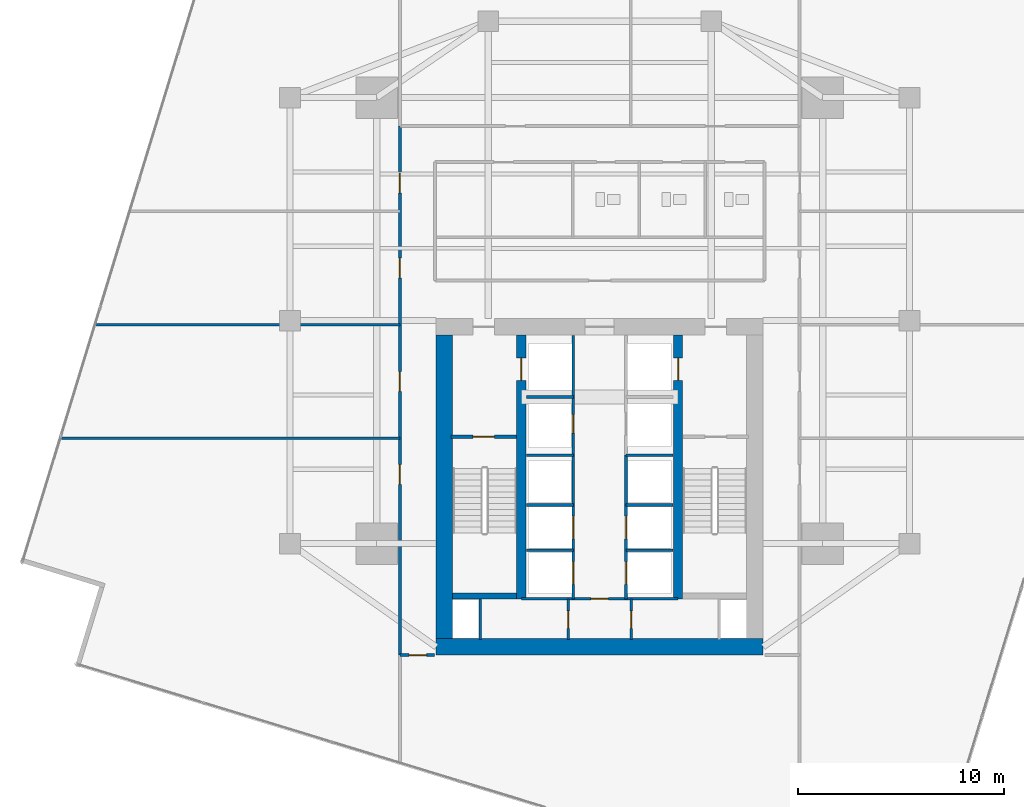
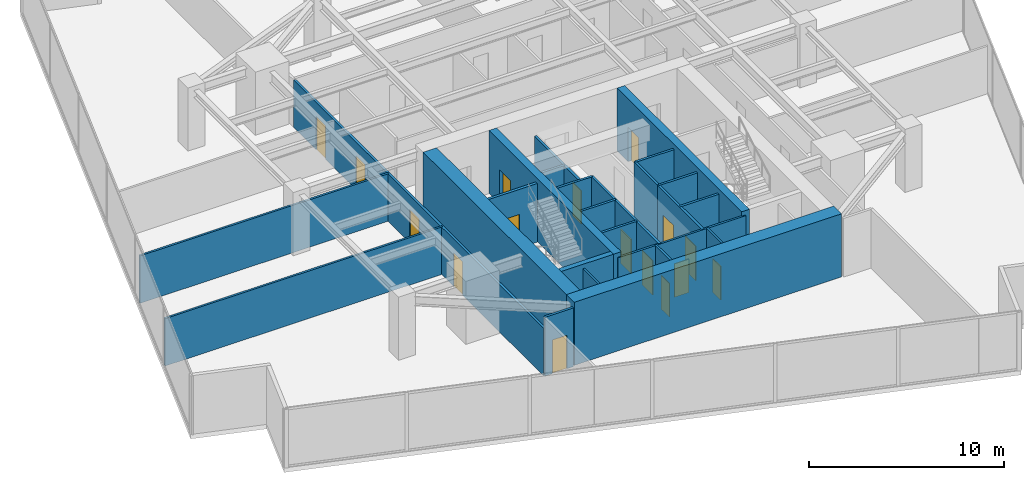
# One storey, part 22 of 26: 26 walls, 16 doors, 16 openings.
"""IFC4 building model written with IfcOpenShell, lengths in metres."""

import ifcopenshell
import ifcopenshell.guid

model = None  # the IFC model being written
_history = None  # IfcOwnerHistory: only IFC2X3 demands one
_inside = {}  # id of a spatial element -> (the spatial element, [elements in it])
_under = {}  # id of a project, library or spatial element -> (it, [spatial elements below it])
_declared = {}  # id of a project -> (the project, [libraries it declares])
_typed = {}  # id of a type object -> (the type object, [elements of that type])
_made_of = {}  # id of a material, layer set ... -> (it, [elements and type objects made of it])


def new_model(schema):
    """Start an empty IFC model of exactly this schema.

    Asked for "IFC4X3", IfcOpenShell would pick the latest addendum, in which some entities
    have other attributes; the version numbers below select the first issue.
    IFC2X3 requires an IfcOwnerHistory on every rooted entity: one is made here for all.
    """
    global model, _history
    if schema == "IFC4X3":
        model = ifcopenshell.file(schema_version=(4, 3, 0, 0))
    else:
        model = ifcopenshell.file(schema=schema)
    _inside.clear()
    _under.clear()
    _declared.clear()
    _typed.clear()
    _made_of.clear()
    _history = None
    if model.schema == "IFC2X3":
        org = make("IfcOrganization", Name="unknown")
        user = make(
            "IfcPersonAndOrganization",
            ThePerson=make("IfcPerson", FamilyName="unknown"),
            TheOrganization=org,
        )
        app = make(
            "IfcApplication",
            ApplicationDeveloper=org,
            Version="unknown",
            ApplicationFullName="unknown",
            ApplicationIdentifier="unknown",
        )
        _history = make(
            "IfcOwnerHistory",
            OwningUser=user,
            OwningApplication=app,
            ChangeAction="ADDED",
            CreationDate=0,
        )
    return model


def make(cls, **values):
    """One entity of the class cls with the attributes given. An attribute that is None is left unset."""
    return model.create_entity(
        cls, **{name: value for name, value in values.items() if value is not None}
    )


def rooted(cls, **values):
    """An entity with a GlobalId (a new one), such as an element, a storey or a relation."""
    return make(cls, GlobalId=ifcopenshell.guid.new(), OwnerHistory=_history, **values)


def si_unit(unit_type, name, prefix=None):
    """IfcSIUnit, for example si_unit("LENGTHUNIT", "METRE", prefix="MILLI")."""
    return make("IfcSIUnit", UnitType=unit_type, Prefix=prefix, Name=name)


def assignment(units):
    """IfcUnitAssignment: the units of a project."""
    return None if units is None else make("IfcUnitAssignment", Units=units)


def point(xyz):
    """IfcCartesianPoint."""
    return None if xyz is None else make("IfcCartesianPoint", Coordinates=xyz)


def direction(xyz):
    """IfcDirection."""
    return None if xyz is None else make("IfcDirection", DirectionRatios=xyz)


def frame(location, z_axis=None, x_axis=None):
    """IfcAxis2Placement3D, a coordinate frame: its origin and axes. An axis left out is left unset."""
    return make(
        "IfcAxis2Placement3D",
        Location=point(location),
        Axis=direction(z_axis),
        RefDirection=direction(x_axis),
    )


def frame_2d(location, x_axis=None):
    """IfcAxis2Placement2D, a coordinate frame in the plane: its origin and x axis."""
    return make(
        "IfcAxis2Placement2D", Location=point(location), RefDirection=direction(x_axis)
    )


def origin():
    """The frame at (0, 0, 0) with its axes left unset."""
    return frame((0.0, 0.0, 0.0))


def place(relative_to, where):
    """IfcLocalPlacement: puts the frame where relative to a parent placement (None: the world)."""
    return make(
        "IfcLocalPlacement", PlacementRelTo=relative_to, RelativePlacement=where
    )


def context(
    kind, dimensions, precision=None, world=None, true_north=None, identifier=None
):
    """IfcGeometricRepresentationContext, for example the 3D "Model" context."""
    return make(
        "IfcGeometricRepresentationContext",
        ContextIdentifier=identifier,
        ContextType=kind,
        CoordinateSpaceDimension=dimensions,
        Precision=precision,
        WorldCoordinateSystem=world,
        TrueNorth=true_north,
    )


def subcontext(parent, identifier, kind, view, scale=None):
    """IfcGeometricRepresentationSubContext, for example "Body" below "Model"."""
    return make(
        "IfcGeometricRepresentationSubContext",
        ContextIdentifier=identifier,
        ContextType=kind,
        ParentContext=parent,
        TargetScale=scale,
        TargetView=view,
    )


def project(units=None, contexts=None):
    """IfcProject with its units and contexts."""
    return rooted(
        "IfcProject",
        Name="project",
        RepresentationContexts=contexts,
        UnitsInContext=assignment(units),
    )


def spatial(cls, under=None, at=None, **own):
    """A site, building, storey or space (cls), placed at a placement, below another one or the project."""
    s = rooted(cls, ObjectPlacement=at, **own)
    if under is not None:
        _under.setdefault(under.id(), (under, []))[1].append(s)
    return s


def profile(cls, at=None, kind="AREA", **sizes):
    """A parametric profile (cls). Its sizes go by their IFC names, for example OverallWidth=200.0."""
    return make(cls, ProfileType=kind, Position=at, **sizes)


def rectangle(**sizes):
    """IfcRectangleProfileDef."""
    return profile("IfcRectangleProfileDef", **sizes)


def extrude(swept, where, along, depth):
    """IfcExtrudedAreaSolid: the profile swept, set in the frame where, extruded along a direction by depth."""
    return make(
        "IfcExtrudedAreaSolid",
        SweptArea=swept,
        Position=where,
        ExtrudedDirection=direction(along),
        Depth=depth,
    )


def shape(context_of_items, identifier, shape_type, items):
    """IfcShapeRepresentation: the items that make up one representation, for example the "Body"."""
    return make(
        "IfcShapeRepresentation",
        ContextOfItems=context_of_items,
        RepresentationIdentifier=identifier,
        RepresentationType=shape_type,
        Items=items,
    )


def material(Name=None, Category=None):
    """IfcMaterial."""
    return make("IfcMaterial", Name=Name, Category=Category)


def layer(
    of_material, thickness, ventilated=None, Name=None, Category=None, Priority=None
):
    """IfcMaterialLayer: one layer of a wall or slab, of a material (None: an air gap)."""
    return make(
        "IfcMaterialLayer",
        Material=of_material,
        LayerThickness=thickness,
        IsVentilated=ventilated,
        Name=Name,
        Category=Category,
        Priority=Priority,
    )


def layer_set(layers, Name=None):
    """IfcMaterialLayerSet."""
    return make("IfcMaterialLayerSet", MaterialLayers=layers, LayerSetName=Name)


def made_of(thing, what):
    """Note that an element or type object is made of a material, layer set ...; save() writes the relation."""
    if what is not None:
        _made_of.setdefault(what.id(), (what, []))[1].append(thing)
    return thing


def type_object(cls, material=None, **own):
    """A type object (cls), such as IfcWallType, which elements share."""
    return made_of(rooted(cls, **own), material)


def element(
    cls,
    number,
    at=None,
    inside=None,
    cuts=None,
    type_object=None,
    material=None,
    context=None,
    identifier="Body",
    shape_type=None,
    held_by="IfcProductDefinitionShape",
    body=None,
    shapes=None,
    **own,
):
    """One element of the class cls, such as IfcWall. Its Tag is "e" and its number.

    at: its placement. inside: the storey or other place that contains it. cuts: it is an
    opening in that element (IfcRelVoidsElement). A single representation is given by context,
    identifier, shape_type and body (its items); several are given by shapes. held_by: the class
    of the entity that holds the representations. save() writes the other relations.
    """
    e = rooted(cls, Tag="e%d" % number, ObjectPlacement=at, **own)
    if body is not None:
        shapes = [shape(context, identifier, shape_type, body)]
    if shapes is not None:
        e.Representation = make(held_by, Representations=shapes)
    if inside is not None:
        _inside.setdefault(inside.id(), (inside, []))[1].append(e)
    if cuts is not None:
        rooted(
            "IfcRelVoidsElement", RelatingBuildingElement=cuts, RelatedOpeningElement=e
        )
    if type_object is not None:
        _typed.setdefault(type_object.id(), (type_object, []))[1].append(e)
    return made_of(e, material)


def fill(opening, filler):
    """IfcRelFillsElement: the door or window that sits in an opening."""
    return rooted(
        "IfcRelFillsElement",
        RelatingOpeningElement=opening,
        RelatedBuildingElement=filler,
    )


def aggregate(whole, parts):
    """IfcRelAggregates: a whole, such as a stair, and the parts it consists of."""
    return rooted("IfcRelAggregates", RelatingObject=whole, RelatedObjects=parts)


def save(model, path):
    """Write the relations noted so far, then the file.

    IfcRelAggregates (storeys below a building ...), IfcRelContainedInSpatialStructure (elements
    in a storey), IfcRelDefinesByType, IfcRelAssociatesMaterial and IfcRelDeclares: one each for
    every whole, place, type object, material and project.
    """
    for whole, parts in _under.values():
        aggregate(whole, parts)
    for where, things in _inside.values():
        rooted(
            "IfcRelContainedInSpatialStructure",
            RelatedElements=things,
            RelatingStructure=where,
        )
    for kind, things in _typed.values():
        rooted("IfcRelDefinesByType", RelatedObjects=things, RelatingType=kind)
    for what, things in _made_of.values():
        rooted("IfcRelAssociatesMaterial", RelatedObjects=things, RelatingMaterial=what)
    for by, libraries in _declared.values():
        rooted("IfcRelDeclares", RelatingContext=by, RelatedDefinitions=libraries)
    model.write(path)


model = new_model("IFC4")

# Units and contexts
model_context = context("Model", 3, precision=1e-05, world=origin(), true_north=direction((0.0, 1.0)))
body_context = subcontext(model_context, "Body", "Model", "MODEL_VIEW")
ifc_project = project(units=[si_unit("LENGTHUNIT", "METRE"), si_unit("AREAUNIT", "SQUARE_METRE"), si_unit("VOLUMEUNIT", "CUBIC_METRE"), si_unit("PLANEANGLEUNIT", "RADIAN"), si_unit("MASSUNIT", "GRAM", prefix="KILO")], contexts=[model_context])

# Site, building, storey
site_placement = place(None, origin())
site = spatial("IfcSite", under=ifc_project, at=site_placement, CompositionType="ELEMENT")
building_placement = place(site_placement, origin())
building = spatial("IfcBuilding", under=site, at=building_placement, Name="Krantzveldt Concourse Tower", CompositionType="ELEMENT")
storey_placement = place(building_placement, frame((0.0, 0.0, 109.800048828125)))
storey = spatial("IfcBuildingStorey", under=building, at=storey_placement, Name="L26", CompositionType="ELEMENT", Elevation=109.800048828125)

# Wall, opening, door
ifc_material_1 = material(Name="Fire-rated gypsum plasterboard on steel stud", Category="steel")
ifc_layer_1 = layer(ifc_material_1, 0.1201171875, Name="Fire-rated gypsum plasterboard on steel stud", Category="steel")
ifc_layer_set_1 = layer_set([ifc_layer_1], Name="Fire-rated gypsum plasterboard on steel stud (WL-PART-120)")
wall_type_1 = type_object("IfcWallType", Name="WL-PART-120", PredefinedType="PARTITIONING", material=ifc_layer_set_1)
wall_1_placement = place(storey_placement, frame((32.2099609375, 13.219970703125, 0.0), z_axis=(0.0, 0.0, 1.0), x_axis=(1.0, 0.0, 0.0)))
wall_1 = element("IfcWall", 1, at=wall_1_placement, inside=storey, type_object=wall_type_1, Name="WP-L26-CS2H", PredefinedType="PARTITIONING", context=body_context, shape_type="SweptSolid", body=[
    extrude(rectangle(XDim=7.580078125, YDim=0.1201171875, at=frame_2d((3.7900390625, 0.0))), origin(), (0.0, 0.0, 1.0), 3.669921875),
])
opening_1_placement = place(wall_1_placement, frame((3.364990234375, 0.0, 0.0)))
opening_1 = element("IfcOpeningElement", 2, at=opening_1_placement, cuts=wall_1, Name="Opening D-IN085", PredefinedType="OPENING", context=body_context, shape_type="SweptSolid", body=[
    extrude(rectangle(XDim=0.85009765625, YDim=2.10009765625, at=frame_2d((0.425048828125, 1.050048828125))), frame((0.0, 0.070068359375, 0.0), z_axis=(0.0, -1.0, 0.0), x_axis=(1.0, 0.0, 0.0)), (0.0, 0.0, 1.0), 0.14013671875),
])
ifc_material_2 = material(Name="Hardwood timber", Category="wood")
door_type_1 = type_object("IfcDoorType", Name="DR-INT-850", OperationType="SINGLE_SWING_LEFT", PredefinedType="DOOR", material=ifc_material_2)
door_1_placement = place(opening_1_placement, origin())
door_1 = element("IfcDoor", 3, at=door_1_placement, inside=storey, type_object=door_type_1, Name="DR-L26-LLBS", OperationType="SINGLE_SWING_RIGHT", OverallHeight=2.10009765625, OverallWidth=0.85009765625, PredefinedType="DOOR", context=body_context, shape_type="SweptSolid", body=[
    extrude(rectangle(XDim=0.85009765625, YDim=2.10009765625, at=frame_2d((0.425048828125, 1.050048828125))), frame((0.0, 0.02490234375, 0.0), z_axis=(0.0, -1.0, 0.0), x_axis=(1.0, 0.0, 0.0)), (0.0, 0.0, 1.0), 0.050048828125),
])
fill(opening_1, door_1)

wall_2_placement = place(storey_placement, frame((34.47998046875, 11.25, 0.0), z_axis=(0.0, 0.0, 1.0), x_axis=(0.0, 1.0, 0.0)))
wall_2 = element("IfcWall", 4, at=wall_2_placement, inside=storey, type_object=wall_type_1, Name="WP-L26-CSB-VL", PredefinedType="PARTITIONING", context=body_context, shape_type="SweptSolid", body=[
    extrude(rectangle(XDim=1.969970703125, YDim=0.1201171875, at=frame_2d((0.98486328125, 0.0))), origin(), (0.0, 0.0, 1.0), 3.669921875),
])
opening_2_placement = place(wall_2_placement, frame((0.544921875, 0.0, 0.0)))
opening_2 = element("IfcOpeningElement", 5, at=opening_2_placement, cuts=wall_2, Name="Opening D-IN085", PredefinedType="OPENING", context=body_context, shape_type="SweptSolid", body=[
    extrude(rectangle(XDim=0.85009765625, YDim=2.10009765625, at=frame_2d((0.425048828125, 1.050048828125))), frame((0.0, 0.070068359375, 0.0), z_axis=(0.0, -1.0, 0.0), x_axis=(1.0, 0.0, 0.0)), (0.0, 0.0, 1.0), 0.14013671875),
])
door_2_placement = place(opening_2_placement, origin())
door_2 = element("IfcDoor", 6, at=door_2_placement, inside=storey, type_object=door_type_1, Name="DR-L26-CSB1", OperationType="SINGLE_SWING_LEFT", OverallHeight=2.10009765625, OverallWidth=0.85009765625, PredefinedType="DOOR", context=body_context, shape_type="SweptSolid", body=[
    extrude(rectangle(XDim=0.85009765625, YDim=2.10009765625, at=frame_2d((0.425048828125, 1.050048828125))), frame((0.0, 0.02490234375, 0.0), z_axis=(0.0, -1.0, 0.0), x_axis=(1.0, 0.0, 0.0)), (0.0, 0.0, 1.0), 0.050048828125),
])
fill(opening_2, door_2)

wall_3_placement = place(storey_placement, frame((37.52001953125, 11.25, 0.0), z_axis=(0.0, 0.0, 1.0), x_axis=(0.0, 1.0, 0.0)))
wall_3 = element("IfcWall", 7, at=wall_3_placement, inside=storey, type_object=wall_type_1, Name="WP-L26-CSB-VR", PredefinedType="PARTITIONING", context=body_context, shape_type="SweptSolid", body=[
    extrude(rectangle(XDim=1.969970703125, YDim=0.1201171875, at=frame_2d((0.98486328125, 0.0))), origin(), (0.0, 0.0, 1.0), 3.669921875),
])
opening_3_placement = place(wall_3_placement, frame((0.544921875, 0.0, 0.0)))
opening_3 = element("IfcOpeningElement", 8, at=opening_3_placement, cuts=wall_3, Name="Opening D-IN085", PredefinedType="OPENING", context=body_context, shape_type="SweptSolid", body=[
    extrude(rectangle(XDim=0.85009765625, YDim=2.10009765625, at=frame_2d((0.425048828125, 1.050048828125))), frame((0.0, 0.070068359375, 0.0), z_axis=(0.0, -1.0, 0.0), x_axis=(1.0, 0.0, 0.0)), (0.0, 0.0, 1.0), 0.14013671875),
])
door_3_placement = place(opening_3_placement, origin())
door_3 = element("IfcDoor", 9, at=door_3_placement, inside=storey, type_object=door_type_1, Name="DR-L26-CSB2", OperationType="SINGLE_SWING_RIGHT", OverallHeight=2.10009765625, OverallWidth=0.85009765625, PredefinedType="DOOR", context=body_context, shape_type="SweptSolid", body=[
    extrude(rectangle(XDim=0.85009765625, YDim=2.10009765625, at=frame_2d((0.425048828125, 1.050048828125))), frame((0.0, 0.02490234375, 0.0), z_axis=(0.0, -1.0, 0.0), x_axis=(1.0, 0.0, 0.0)), (0.0, 0.0, 1.0), 0.050048828125),
])
fill(opening_3, door_3)

# Walls
wall_4_placement = place(storey_placement, frame((9.88232421875, 21.0, 0.0), z_axis=(0.0, 0.0, 1.0), x_axis=(1.0, 0.0, 0.0)))
element("IfcWall", 10, at=wall_4_placement, inside=storey, type_object=wall_type_1, Name="WP-L26-WD1", PredefinedType="PARTITIONING", context=body_context, shape_type="SweptSolid", body=[
    extrude(rectangle(XDim=16.437744140625, YDim=0.1201171875, at=frame_2d((8.21875, 0.0))), origin(), (0.0, 0.0, 1.0), 2.969970703125),
])
wall_5_placement = place(storey_placement, frame((11.563720703125, 26.5, 0.0), z_axis=(0.0, 0.0, 1.0), x_axis=(1.0, 0.0, 0.0)))
element("IfcWall", 11, at=wall_5_placement, inside=storey, type_object=wall_type_1, Name="WP-L26-WD2", PredefinedType="PARTITIONING", context=body_context, shape_type="SweptSolid", body=[
    extrude(rectangle(XDim=14.75634765625, YDim=0.1201171875, at=frame_2d((7.378173828125, 0.0))), origin(), (0.0, 0.0, 1.0), 2.969970703125),
])

# Wall, openings, doors
ifc_layer_2 = layer(ifc_material_1, 0.139892578125, Name="Fire-rated gypsum plasterboard on steel stud", Category="steel")
ifc_layer_set_2 = layer_set([ifc_layer_2], Name="Fire-rated gypsum plasterboard on steel stud (WL-PART-140)")
wall_type_2 = type_object("IfcWallType", Name="WL-PART-140", PredefinedType="PARTITIONING", material=ifc_layer_set_2)
wall_6_placement = place(storey_placement, frame((26.320068359375, 10.5, 0.0), z_axis=(0.0, 0.0, 1.0), x_axis=(0.0, 1.0, 0.0)))
wall_6 = element("IfcWall", 12, at=wall_6_placement, inside=storey, type_object=wall_type_2, Name="WP-L26-CWEST", PredefinedType="PARTITIONING", context=body_context, shape_type="SweptSolid", body=[
    extrude(rectangle(XDim=25.6201171875, YDim=0.139892578125, at=frame_2d((12.81005859375, 0.0))), origin(), (0.0, 0.0, 1.0), 2.969970703125),
])
opening_4_placement = place(wall_6_placement, frame((8.27490234375, 0.0, 0.0)))
opening_4 = element("IfcOpeningElement", 13, at=opening_4_placement, cuts=wall_6, Name="Opening D-IN095", PredefinedType="OPENING", context=body_context, shape_type="SweptSolid", body=[
    extrude(rectangle(XDim=0.949951171875, YDim=2.10009765625, at=frame_2d((0.47509765625, 1.050048828125))), frame((0.0, 0.080078125, 0.0), z_axis=(0.0, -1.0, 0.0), x_axis=(1.0, 0.0, 0.0)), (0.0, 0.0, 1.0), 0.159912109375),
])
opening_5_placement = place(wall_6_placement, frame((12.77490234375, 0.0, 0.0)))
opening_5 = element("IfcOpeningElement", 14, at=opening_5_placement, cuts=wall_6, Name="Opening D-IN095", PredefinedType="OPENING", context=body_context, shape_type="SweptSolid", body=[
    extrude(rectangle(XDim=0.949951171875, YDim=2.10009765625, at=frame_2d((0.47509765625, 1.050048828125))), frame((0.0, 0.080078125, 0.0), z_axis=(0.0, -1.0, 0.0), x_axis=(1.0, 0.0, 0.0)), (0.0, 0.0, 1.0), 0.159912109375),
])
opening_6_placement = place(wall_6_placement, frame((18.27490234375, 0.0, 0.0)))
opening_6 = element("IfcOpeningElement", 15, at=opening_6_placement, cuts=wall_6, Name="Opening D-IN095", PredefinedType="OPENING", context=body_context, shape_type="SweptSolid", body=[
    extrude(rectangle(XDim=0.949951171875, YDim=2.10009765625, at=frame_2d((0.47509765625, 1.050048828125))), frame((0.0, 0.080078125, 0.0), z_axis=(0.0, -1.0, 0.0), x_axis=(1.0, 0.0, 0.0)), (0.0, 0.0, 1.0), 0.159912109375),
])
opening_7_placement = place(wall_6_placement, frame((22.375, 0.0, 0.0)))
opening_7 = element("IfcOpeningElement", 16, at=opening_7_placement, cuts=wall_6, Name="Opening D-IN095", PredefinedType="OPENING", context=body_context, shape_type="SweptSolid", body=[
    extrude(rectangle(XDim=0.949951171875, YDim=2.10009765625, at=frame_2d((0.47509765625, 1.050048828125))), frame((0.0, 0.080078125, 0.0), z_axis=(0.0, -1.0, 0.0), x_axis=(1.0, 0.0, 0.0)), (0.0, 0.0, 1.0), 0.159912109375),
])
door_type_2 = type_object("IfcDoorType", Name="DR-INT-950", OperationType="SINGLE_SWING_LEFT", PredefinedType="DOOR", material=ifc_material_2)
door_4_placement = place(opening_4_placement, origin())
door_4 = element("IfcDoor", 17, at=door_4_placement, inside=storey, type_object=door_type_2, Name="DR-L26-WR1", OperationType="SINGLE_SWING_LEFT", OverallHeight=2.10009765625, OverallWidth=0.949951171875, PredefinedType="DOOR", context=body_context, shape_type="SweptSolid", body=[
    extrude(rectangle(XDim=0.949951171875, YDim=2.10009765625, at=frame_2d((0.47509765625, 1.050048828125))), frame((0.0, 0.02490234375, 0.0), z_axis=(0.0, -1.0, 0.0), x_axis=(1.0, 0.0, 0.0)), (0.0, 0.0, 1.0), 0.050048828125),
])
fill(opening_4, door_4)
door_5_placement = place(opening_5_placement, origin())
door_5 = element("IfcDoor", 18, at=door_5_placement, inside=storey, type_object=door_type_2, Name="DR-L26-WR2", OperationType="SINGLE_SWING_LEFT", OverallHeight=2.10009765625, OverallWidth=0.949951171875, PredefinedType="DOOR", context=body_context, shape_type="SweptSolid", body=[
    extrude(rectangle(XDim=0.949951171875, YDim=2.10009765625, at=frame_2d((0.47509765625, 1.050048828125))), frame((0.0, 0.02490234375, 0.0), z_axis=(0.0, -1.0, 0.0), x_axis=(1.0, 0.0, 0.0)), (0.0, 0.0, 1.0), 0.050048828125),
])
fill(opening_5, door_5)
door_6_placement = place(opening_6_placement, origin())
door_6 = element("IfcDoor", 19, at=door_6_placement, inside=storey, type_object=door_type_2, Name="DR-L26-WR3", OperationType="SINGLE_SWING_LEFT", OverallHeight=2.10009765625, OverallWidth=0.949951171875, PredefinedType="DOOR", context=body_context, shape_type="SweptSolid", body=[
    extrude(rectangle(XDim=0.949951171875, YDim=2.10009765625, at=frame_2d((0.47509765625, 1.050048828125))), frame((0.0, 0.02490234375, 0.0), z_axis=(0.0, -1.0, 0.0), x_axis=(1.0, 0.0, 0.0)), (0.0, 0.0, 1.0), 0.050048828125),
])
fill(opening_6, door_6)
door_7_placement = place(opening_7_placement, origin())
door_7 = element("IfcDoor", 20, at=door_7_placement, inside=storey, type_object=door_type_2, Name="DR-L26-WR4", OperationType="SINGLE_SWING_LEFT", OverallHeight=2.10009765625, OverallWidth=0.949951171875, PredefinedType="DOOR", context=body_context, shape_type="SweptSolid", body=[
    extrude(rectangle(XDim=0.949951171875, YDim=2.10009765625, at=frame_2d((0.47509765625, 1.050048828125))), frame((0.0, 0.02490234375, 0.0), z_axis=(0.0, -1.0, 0.0), x_axis=(1.0, 0.0, 0.0)), (0.0, 0.0, 1.0), 0.050048828125),
])
fill(opening_7, door_7)

# Wall, opening, door
wall_7_placement = place(storey_placement, frame((26.320068359375, 10.5, 0.0), z_axis=(0.0, 0.0, 1.0), x_axis=(1.0, 0.0, 0.0)))
wall_7 = element("IfcWall", 21, at=wall_7_placement, inside=storey, type_object=wall_type_2, Name="WP-L26-CWBOT", PredefinedType="PARTITIONING", context=body_context, shape_type="SweptSolid", body=[
    extrude(rectangle(XDim=1.679931640625, YDim=0.139892578125, at=frame_2d((0.83984375, 0.0))), origin(), (0.0, 0.0, 1.0), 3.669921875),
])
opening_8_placement = place(wall_7_placement, frame((0.445068359375, 0.0, 0.0)))
opening_8 = element("IfcOpeningElement", 22, at=opening_8_placement, cuts=wall_7, Name="Opening D-IN085", PredefinedType="OPENING", context=body_context, shape_type="SweptSolid", body=[
    extrude(rectangle(XDim=0.85009765625, YDim=2.10009765625, at=frame_2d((0.425048828125, 1.050048828125))), frame((0.0, 0.080078125, 0.0), z_axis=(0.0, -1.0, 0.0), x_axis=(1.0, 0.0, 0.0)), (0.0, 0.0, 1.0), 0.159912109375),
])
door_8_placement = place(opening_8_placement, origin())
door_8 = element("IfcDoor", 23, at=door_8_placement, inside=storey, type_object=door_type_1, Name="DR-L26-SR1", OperationType="SINGLE_SWING_LEFT", OverallHeight=2.10009765625, OverallWidth=0.85009765625, PredefinedType="DOOR", context=body_context, shape_type="SweptSolid", body=[
    extrude(rectangle(XDim=0.85009765625, YDim=2.10009765625, at=frame_2d((0.425048828125, 1.050048828125))), frame((0.0, 0.02490234375, 0.0), z_axis=(0.0, -1.0, 0.0), x_axis=(1.0, 0.0, 0.0)), (0.0, 0.0, 1.0), 0.050048828125),
])
fill(opening_8, door_8)

ifc_layer_3 = layer(ifc_material_1, 0.139892578125, Name="Fire-rated gypsum plasterboard on steel stud", Category="steel")
ifc_layer_set_3 = layer_set([ifc_layer_3], Name="Fire-rated gypsum plasterboard on steel stud (WL-PART-FR140)")
wall_type_3 = type_object("IfcWallType", Name="WL-PART-FR140", PredefinedType="PARTITIONING", material=ifc_layer_set_3)
wall_8_placement = place(storey_placement, frame((34.719970703125, 20.199951171875, 0.0), z_axis=(0.0, 0.0, 1.0), x_axis=(0.0, 1.0, 0.0)))
wall_8 = element("IfcWall", 24, at=wall_8_placement, inside=storey, type_object=wall_type_3, Name="WP-L26-SHNW", PredefinedType="PARTITIONING", context=body_context, shape_type="SweptSolid", body=[
    extrude(rectangle(XDim=5.780029296875, YDim=0.139892578125, at=frame_2d((2.89013671875, 0.0))), origin(), (0.0, 0.0, 1.0), 2.669921875),
])
opening_9_placement = place(wall_8_placement, frame((1.050048828125, 0.0, 0.0)))
opening_9 = element("IfcOpeningElement", 25, at=opening_9_placement, cuts=wall_8, Name="Opening D-FD090", PredefinedType="OPENING", context=body_context, shape_type="SweptSolid", body=[
    extrude(rectangle(XDim=0.89990234375, YDim=2.10009765625, at=frame_2d((0.449951171875, 1.050048828125))), frame((0.0, 0.080078125, 0.0), z_axis=(0.0, -1.0, 0.0), x_axis=(1.0, 0.0, 0.0)), (0.0, 0.0, 1.0), 0.159912109375),
])
door_type_3 = type_object("IfcDoorType", Name="DR-FD60-900", OperationType="SINGLE_SWING_LEFT", PredefinedType="DOOR", material=ifc_material_2)
door_9_placement = place(opening_9_placement, origin())
door_9 = element("IfcDoor", 26, at=door_9_placement, inside=storey, type_object=door_type_3, Name="Electrical Riser Access Door L26", OperationType="SINGLE_SWING_LEFT", OverallHeight=2.10009765625, OverallWidth=0.89990234375, PredefinedType="DOOR", context=body_context, shape_type="SweptSolid", body=[
    extrude(rectangle(XDim=0.89990234375, YDim=2.10009765625, at=frame_2d((0.449951171875, 1.050048828125))), frame((0.0, 0.02490234375, 0.0), z_axis=(0.0, -1.0, 0.0), x_axis=(1.0, 0.0, 0.0)), (0.0, 0.0, 1.0), 0.050048828125),
])
fill(opening_9, door_9)

# Walls
wall_9_placement = place(storey_placement, frame((32.449951171875, 23.0, 0.0), z_axis=(0.0, 0.0, 1.0), x_axis=(1.0, 0.0, 0.0)))
element("IfcWall", 27, at=wall_9_placement, inside=storey, type_object=wall_type_3, Name="WP-L26-RISH", PredefinedType="PARTITIONING", context=body_context, shape_type="SweptSolid", body=[
    extrude(rectangle(XDim=2.27001953125, YDim=0.139892578125, at=frame_2d((1.135009765625, 0.0))), origin(), (0.0, 0.0, 1.0), 2.669921875),
])
for number, where, z_axis, x_axis, name in (
    (28, (34.719970703125, 17.780029296875, 0.0), (0.0, 0.0, 1.0), (0.0, 1.0, 0.0), "WP-L26-SHNW2"),
    (29, (37.280029296875, 17.780029296875, 0.0), (0.0, 0.0, 1.0), (0.0, 1.0, 0.0), "WP-L26-SHNE2"),
):
    element("IfcWall", number, at=place(storey_placement, frame(where, z_axis=z_axis, x_axis=x_axis)), inside=storey, type_object=wall_type_3, Name=name, PredefinedType="PARTITIONING", context=body_context, shape_type="SweptSolid", body=[
        extrude(rectangle(XDim=2.419921875, YDim=0.139892578125, at=frame_2d((1.2099609375, 0.0))), origin(), (0.0, 0.0, 1.0), 3.669921875),
    ])
for number, where, z_axis, x_axis, name in (
    (30, (32.449951171875, 17.780029296875, 0.0), (0.0, 0.0, 1.0), (1.0, 0.0, 0.0), "WP-L26-DIVW2"),
    (31, (32.449951171875, 20.179931640625, 0.0), (0.0, 0.0, 1.0), (1.0, 0.0, 0.0), "WP-L26-DIVW3"),
    (32, (37.280029296875, 17.780029296875, 0.0), (0.0, 0.0, 1.0), (1.0, 0.0, 0.0), "WP-L26-DIVE2"),
    (33, (37.280029296875, 20.179931640625, 0.0), (0.0, 0.0, 1.0), (1.0, 0.0, 0.0), "WP-L26-DIVE3"),
):
    element("IfcWall", number, at=place(storey_placement, frame(where, z_axis=z_axis, x_axis=x_axis)), inside=storey, type_object=wall_type_3, Name=name, PredefinedType="PARTITIONING", context=body_context, shape_type="SweptSolid", body=[
        extrude(rectangle(XDim=2.27001953125, YDim=0.139892578125, at=frame_2d((1.135009765625, 0.0))), origin(), (0.0, 0.0, 1.0), 3.669921875),
    ])

# Wall, openings, doors
wall_10_placement = place(storey_placement, frame((34.719970703125, 13.219970703125, 0.0), z_axis=(0.0, 0.0, 1.0), x_axis=(0.0, 1.0, 0.0)))
wall_10 = element("IfcWall", 34, at=wall_10_placement, inside=storey, type_object=wall_type_3, Name="WP-L26-SHSW", PredefinedType="PARTITIONING", context=body_context, shape_type="SweptSolid", body=[
    extrude(rectangle(XDim=4.56005859375, YDim=0.139892578125, at=frame_2d((2.280029296875, 0.0))), origin(), (0.0, 0.0, 1.0), 3.669921875),
])
opening_10_placement = place(wall_10_placement, frame((0.7099609375, 0.0, 0.0)))
opening_10 = element("IfcOpeningElement", 35, at=opening_10_placement, cuts=wall_10, Name="Opening LD", PredefinedType="OPENING", context=body_context, shape_type="SweptSolid", body=[
    extrude(rectangle(XDim=1.10009765625, YDim=2.14990234375, at=frame_2d((0.550048828125, 1.074951171875))), frame((0.0, 0.080078125, 0.0), z_axis=(0.0, -1.0, 0.0), x_axis=(1.0, 0.0, 0.0)), (0.0, 0.0, 1.0), 0.159912109375),
])
opening_11_placement = place(wall_10_placement, frame((2.909912109375, 0.0, 0.0)))
opening_11 = element("IfcOpeningElement", 36, at=opening_11_placement, cuts=wall_10, Name="Opening LD", PredefinedType="OPENING", context=body_context, shape_type="SweptSolid", body=[
    extrude(rectangle(XDim=1.10009765625, YDim=2.14990234375, at=frame_2d((0.550048828125, 1.074951171875))), frame((0.0, 0.080078125, 0.0), z_axis=(0.0, -1.0, 0.0), x_axis=(1.0, 0.0, 0.0)), (0.0, 0.0, 1.0), 0.159912109375),
])
ifc_material_3 = material(Name="Stainless steel 316L", Category="steel")
door_type_4 = type_object("IfcDoorType", Name="DR-SLIDE-LD1100", OperationType="DOUBLE_DOOR_SLIDING", PredefinedType="DOOR", material=ifc_material_3)
door_10_placement = place(opening_10_placement, origin())
door_10 = element("IfcDoor", 37, at=door_10_placement, inside=storey, type_object=door_type_4, Name="LD-L26-PL1", OperationType="DOUBLE_DOOR_SLIDING", OverallHeight=2.14990234375, OverallWidth=1.10009765625, PredefinedType="DOOR", context=body_context, shape_type="SweptSolid", body=[
    extrude(rectangle(XDim=1.10009765625, YDim=2.14990234375, at=frame_2d((0.550048828125, 1.074951171875))), frame((0.0, 0.02490234375, 0.0), z_axis=(0.0, -1.0, 0.0), x_axis=(1.0, 0.0, 0.0)), (0.0, 0.0, 1.0), 0.050048828125),
])
fill(opening_10, door_10)
door_11_placement = place(opening_11_placement, origin())
door_11 = element("IfcDoor", 38, at=door_11_placement, inside=storey, type_object=door_type_4, Name="LD-L26-PL2", OperationType="DOUBLE_DOOR_SLIDING", OverallHeight=2.14990234375, OverallWidth=1.10009765625, PredefinedType="DOOR", context=body_context, shape_type="SweptSolid", body=[
    extrude(rectangle(XDim=1.10009765625, YDim=2.14990234375, at=frame_2d((0.550048828125, 1.074951171875))), frame((0.0, 0.02490234375, 0.0), z_axis=(0.0, -1.0, 0.0), x_axis=(1.0, 0.0, 0.0)), (0.0, 0.0, 1.0), 0.050048828125),
])
fill(opening_11, door_11)

# Wall
wall_11_placement = place(storey_placement, frame((32.449951171875, 15.580078125, 0.0), z_axis=(0.0, 0.0, 1.0), x_axis=(1.0, 0.0, 0.0)))
element("IfcWall", 39, at=wall_11_placement, inside=storey, type_object=wall_type_3, Name="WP-L26-DIVW1", PredefinedType="PARTITIONING", context=body_context, shape_type="SweptSolid", body=[
    extrude(rectangle(XDim=2.27001953125, YDim=0.139892578125, at=frame_2d((1.135009765625, 0.0))), origin(), (0.0, 0.0, 1.0), 3.669921875),
])

# Wall, openings, doors
wall_12_placement = place(storey_placement, frame((37.280029296875, 13.219970703125, 0.0), z_axis=(0.0, 0.0, 1.0), x_axis=(0.0, 1.0, 0.0)))
wall_12 = element("IfcWall", 40, at=wall_12_placement, inside=storey, type_object=wall_type_3, Name="WP-L26-SHSE", PredefinedType="PARTITIONING", context=body_context, shape_type="SweptSolid", body=[
    extrude(rectangle(XDim=4.56005859375, YDim=0.139892578125, at=frame_2d((2.280029296875, 0.0))), origin(), (0.0, 0.0, 1.0), 3.669921875),
])
opening_12_placement = place(wall_12_placement, frame((0.7099609375, 0.0, 0.0)))
opening_12 = element("IfcOpeningElement", 41, at=opening_12_placement, cuts=wall_12, Name="Opening LD", PredefinedType="OPENING", context=body_context, shape_type="SweptSolid", body=[
    extrude(rectangle(XDim=1.10009765625, YDim=2.14990234375, at=frame_2d((0.550048828125, 1.074951171875))), frame((0.0, 0.080078125, 0.0), z_axis=(0.0, -1.0, 0.0), x_axis=(1.0, 0.0, 0.0)), (0.0, 0.0, 1.0), 0.159912109375),
])
opening_13_placement = place(wall_12_placement, frame((2.909912109375, 0.0, 0.0)))
opening_13 = element("IfcOpeningElement", 42, at=opening_13_placement, cuts=wall_12, Name="Opening LD", PredefinedType="OPENING", context=body_context, shape_type="SweptSolid", body=[
    extrude(rectangle(XDim=1.10009765625, YDim=2.14990234375, at=frame_2d((0.550048828125, 1.074951171875))), frame((0.0, 0.080078125, 0.0), z_axis=(0.0, -1.0, 0.0), x_axis=(1.0, 0.0, 0.0)), (0.0, 0.0, 1.0), 0.159912109375),
])
door_12_placement = place(opening_12_placement, origin())
door_12 = element("IfcDoor", 43, at=door_12_placement, inside=storey, type_object=door_type_4, Name="LD-L26-PM1", OperationType="DOUBLE_DOOR_SLIDING", OverallHeight=2.14990234375, OverallWidth=1.10009765625, PredefinedType="DOOR", context=body_context, shape_type="SweptSolid", body=[
    extrude(rectangle(XDim=1.10009765625, YDim=2.14990234375, at=frame_2d((0.550048828125, 1.074951171875))), frame((0.0, 0.02490234375, 0.0), z_axis=(0.0, -1.0, 0.0), x_axis=(1.0, 0.0, 0.0)), (0.0, 0.0, 1.0), 0.050048828125),
])
fill(opening_12, door_12)
door_13_placement = place(opening_13_placement, origin())
door_13 = element("IfcDoor", 44, at=door_13_placement, inside=storey, type_object=door_type_4, Name="LD-L26-PM2", OperationType="DOUBLE_DOOR_SLIDING", OverallHeight=2.14990234375, OverallWidth=1.10009765625, PredefinedType="DOOR", context=body_context, shape_type="SweptSolid", body=[
    extrude(rectangle(XDim=1.10009765625, YDim=2.14990234375, at=frame_2d((0.550048828125, 1.074951171875))), frame((0.0, 0.02490234375, 0.0), z_axis=(0.0, -1.0, 0.0), x_axis=(1.0, 0.0, 0.0)), (0.0, 0.0, 1.0), 0.050048828125),
])
fill(opening_13, door_13)

# Walls
wall_13_placement = place(storey_placement, frame((37.280029296875, 15.580078125, 0.0), z_axis=(0.0, 0.0, 1.0), x_axis=(1.0, 0.0, 0.0)))
element("IfcWall", 45, at=wall_13_placement, inside=storey, type_object=wall_type_3, Name="WP-L26-DIVE1", PredefinedType="PARTITIONING", context=body_context, shape_type="SweptSolid", body=[
    extrude(rectangle(XDim=2.27001953125, YDim=0.139892578125, at=frame_2d((1.135009765625, 0.0))), origin(), (0.0, 0.0, 1.0), 3.669921875),
])
wall_14_placement = place(storey_placement, frame((30.219970703125, 11.25, 0.0), z_axis=(0.0, 0.0, 1.0), x_axis=(0.0, 1.0, 0.0)))
element("IfcWall", 46, at=wall_14_placement, inside=storey, type_object=wall_type_3, Name="WP-L26-RSW", PredefinedType="PARTITIONING", context=body_context, shape_type="SweptSolid", body=[
    extrude(rectangle(XDim=1.969970703125, YDim=0.1201171875, at=frame_2d((0.98486328125, 0.0))), origin(), (0.0, 0.0, 1.0), 3.669921875),
])

# Wall, opening, door
ifc_layer_4 = layer(ifc_material_1, 0.159912109375, Name="Fire-rated gypsum plasterboard on steel stud", Category="steel")
ifc_layer_set_4 = layer_set([ifc_layer_4], Name="Fire-rated gypsum plasterboard on steel stud (WL-PART-FR160)")
wall_type_4 = type_object("IfcWallType", Name="WL-PART-FR160", PredefinedType="PARTITIONING", material=ifc_layer_set_4)
wall_15_placement = place(storey_placement, frame((28.800048828125, 21.080078125, 0.0), z_axis=(0.0, 0.0, 1.0), x_axis=(1.0, 0.0, 0.0)))
wall_15 = element("IfcWall", 47, at=wall_15_placement, inside=storey, type_object=wall_type_4, Name="WP-L26-ST1", PredefinedType="PARTITIONING", context=body_context, shape_type="SweptSolid", body=[
    extrude(rectangle(XDim=3.159912109375, YDim=0.159912109375, at=frame_2d((1.580078125, 0.0))), origin(), (0.0, 0.0, 1.0), 3.669921875),
])
opening_14_placement = place(wall_15_placement, frame((1.054931640625, 0.0, 0.0)))
opening_14 = element("IfcOpeningElement", 48, at=opening_14_placement, cuts=wall_15, Name="Opening D-FD105", PredefinedType="OPENING", context=body_context, shape_type="SweptSolid", body=[
    extrude(rectangle(XDim=1.050048828125, YDim=2.10009765625, at=frame_2d((0.52490234375, 1.050048828125))), frame((0.0, 0.08984375, 0.0), z_axis=(0.0, -1.0, 0.0), x_axis=(1.0, 0.0, 0.0)), (0.0, 0.0, 1.0), 0.179931640625),
])
ifc_material_4 = material(Name="Galvanised steel", Category="steel")
door_type_5 = type_object("IfcDoorType", Name="DR-FD120-1050", OperationType="SINGLE_SWING_LEFT", PredefinedType="DOOR", material=ifc_material_4)
door_14_placement = place(opening_14_placement, origin())
door_14 = element("IfcDoor", 49, at=door_14_placement, inside=storey, type_object=door_type_5, Name="DR-L26-ST1", OperationType="SINGLE_SWING_RIGHT", OverallHeight=2.10009765625, OverallWidth=1.050048828125, PredefinedType="DOOR", context=body_context, shape_type="SweptSolid", body=[
    extrude(rectangle(XDim=1.050048828125, YDim=2.10009765625, at=frame_2d((0.52490234375, 1.050048828125))), frame((0.0, 0.02490234375, 0.0), z_axis=(0.0, -1.0, 0.0), x_axis=(1.0, 0.0, 0.0)), (0.0, 0.0, 1.0), 0.050048828125),
])
fill(opening_14, door_14)

# Wall
ifc_material_5 = material(Name="Concrete C50/60", Category="concrete")
ifc_layer_5 = layer(ifc_material_5, 0.300048828125, Name="Concrete C50/60", Category="concrete")
ifc_layer_set_5 = layer_set([ifc_layer_5], Name="Concrete C50/60 (WL-SHEAR-300)")
wall_type_5 = type_object("IfcWallType", Name="WL-SHEAR-300", PredefinedType="SHEAR", material=ifc_layer_set_5)
wall_16_placement = place(storey_placement, frame((28.8798828125, 13.3701171875, 0.0), z_axis=(0.0, 0.0, 1.0), x_axis=(1.0, 0.0, 0.0)))
element("IfcWall", 50, at=wall_16_placement, inside=storey, type_object=wall_type_5, Name="CW-L26-ST1S", PredefinedType="SHEAR", context=body_context, shape_type="SweptSolid", body=[
    extrude(rectangle(XDim=3.10009765625, YDim=0.300048828125, at=frame_2d((1.550048828125, 0.0))), origin(), (0.0, 0.0, 1.0), 3.949951171875),
])

# Wall, opening, door
ifc_layer_6 = layer(ifc_material_5, 0.449951171875, Name="Concrete C50/60", Category="concrete")
ifc_layer_set_6 = layer_set([ifc_layer_6], Name="Concrete C50/60 (WL-SHEAR-450)")
wall_type_6 = type_object("IfcWallType", Name="WL-SHEAR-450", PredefinedType="SHEAR", material=ifc_layer_set_6)
wall_17_placement = place(storey_placement, frame((32.205078125, 13.219970703125, 0.0), z_axis=(0.0, 0.0, 1.0), x_axis=(0.0, 1.0, 0.0)))
wall_17 = element("IfcWall", 51, at=wall_17_placement, inside=storey, type_object=wall_type_6, Name="CW-L26-IW", PredefinedType="SHEAR", context=body_context, shape_type="SweptSolid", body=[
    extrude(rectangle(XDim=12.780029296875, YDim=0.449951171875, at=frame_2d((6.39013671875, 0.0))), origin(), (0.0, 0.0, 1.0), 3.949951171875),
])
opening_15_placement = place(wall_17_placement, frame((10.580078125, 0.0, 0.0)))
opening_15 = element("IfcOpeningElement", 52, at=opening_15_placement, cuts=wall_17, Name="Opening LD", PredefinedType="OPENING", context=body_context, shape_type="SweptSolid", body=[
    extrude(rectangle(XDim=1.10009765625, YDim=2.14990234375, at=frame_2d((0.550048828125, 1.074951171875))), frame((0.0, 0.23486328125, 0.0), z_axis=(0.0, -1.0, 0.0), x_axis=(1.0, 0.0, 0.0)), (0.0, 0.0, 1.0), 0.469970703125),
])
door_15_placement = place(opening_15_placement, origin())
door_15 = element("IfcDoor", 53, at=door_15_placement, inside=storey, type_object=door_type_4, Name="LD-L26-FL1", OperationType="DOUBLE_DOOR_SLIDING", OverallHeight=2.14990234375, OverallWidth=1.10009765625, PredefinedType="DOOR", context=body_context, shape_type="SweptSolid", body=[
    extrude(rectangle(XDim=1.10009765625, YDim=2.14990234375, at=frame_2d((0.550048828125, 1.074951171875))), frame((0.0, 0.02490234375, 0.0), z_axis=(0.0, -1.0, 0.0), x_axis=(1.0, 0.0, 0.0)), (0.0, 0.0, 1.0), 0.050048828125),
])
fill(opening_15, door_15)

wall_18_placement = place(storey_placement, frame((39.794921875, 13.219970703125, 0.0), z_axis=(0.0, 0.0, 1.0), x_axis=(0.0, 1.0, 0.0)))
wall_18 = element("IfcWall", 54, at=wall_18_placement, inside=storey, type_object=wall_type_6, Name="CW-L26-IE", PredefinedType="SHEAR", context=body_context, shape_type="SweptSolid", body=[
    extrude(rectangle(XDim=12.780029296875, YDim=0.449951171875, at=frame_2d((6.39013671875, 0.0))), origin(), (0.0, 0.0, 1.0), 3.949951171875),
])
opening_16_placement = place(wall_18_placement, frame((10.580078125, 0.0, 0.0)))
opening_16 = element("IfcOpeningElement", 55, at=opening_16_placement, cuts=wall_18, Name="Opening LD", PredefinedType="OPENING", context=body_context, shape_type="SweptSolid", body=[
    extrude(rectangle(XDim=1.10009765625, YDim=2.14990234375, at=frame_2d((0.550048828125, 1.074951171875))), frame((0.0, 0.23486328125, 0.0), z_axis=(0.0, -1.0, 0.0), x_axis=(1.0, 0.0, 0.0)), (0.0, 0.0, 1.0), 0.469970703125),
])
door_16_placement = place(opening_16_placement, origin())
door_16 = element("IfcDoor", 56, at=door_16_placement, inside=storey, type_object=door_type_4, Name="LD-L26-FL2", OperationType="DOUBLE_DOOR_SLIDING", OverallHeight=2.14990234375, OverallWidth=1.10009765625, PredefinedType="DOOR", context=body_context, shape_type="SweptSolid", body=[
    extrude(rectangle(XDim=1.10009765625, YDim=2.14990234375, at=frame_2d((0.550048828125, 1.074951171875))), frame((0.0, 0.02490234375, 0.0), z_axis=(0.0, -1.0, 0.0), x_axis=(1.0, 0.0, 0.0)), (0.0, 0.0, 1.0), 0.050048828125),
])
fill(opening_16, door_16)

# Walls
ifc_material_6 = material(Name="Concrete C60/75", Category="concrete")
ifc_layer_7 = layer(ifc_material_6, 0.800048828125, Name="Concrete C60/75", Category="concrete")
ifc_layer_set_7 = layer_set([ifc_layer_7], Name="Concrete C60/75 (WL-SHEAR-800)")
wall_type_7 = type_object("IfcWallType", Name="WL-SHEAR-800", PredefinedType="SHEAR", material=ifc_layer_set_7)
wall_19_placement = place(storey_placement, frame((28.080078125, 10.89990234375, 0.0), z_axis=(0.0, 0.0, 1.0), x_axis=(1.0, 0.0, 0.0)))
element("IfcWall", 57, at=wall_19_placement, inside=storey, type_object=wall_type_7, Name="CW-L26-S", PredefinedType="SHEAR", context=body_context, shape_type="SweptSolid", body=[
    extrude(rectangle(XDim=15.83984375, YDim=0.800048828125, at=frame_2d((7.919921875, 0.0))), origin(), (0.0, 0.0, 1.0), 3.949951171875),
])
wall_20_placement = place(storey_placement, frame((28.47998046875, 11.300048828125, 0.0), z_axis=(0.0, 0.0, 1.0), x_axis=(0.0, 1.0, 0.0)))
element("IfcWall", 58, at=wall_20_placement, inside=storey, type_object=wall_type_7, Name="CW-L26-W", PredefinedType="SHEAR", context=body_context, shape_type="SweptSolid", body=[
    extrude(rectangle(XDim=14.699951171875, YDim=0.800048828125, at=frame_2d((7.35009765625, 0.0))), origin(), (0.0, 0.0, 1.0), 3.949951171875),
])

save(model, "model.ifc")
